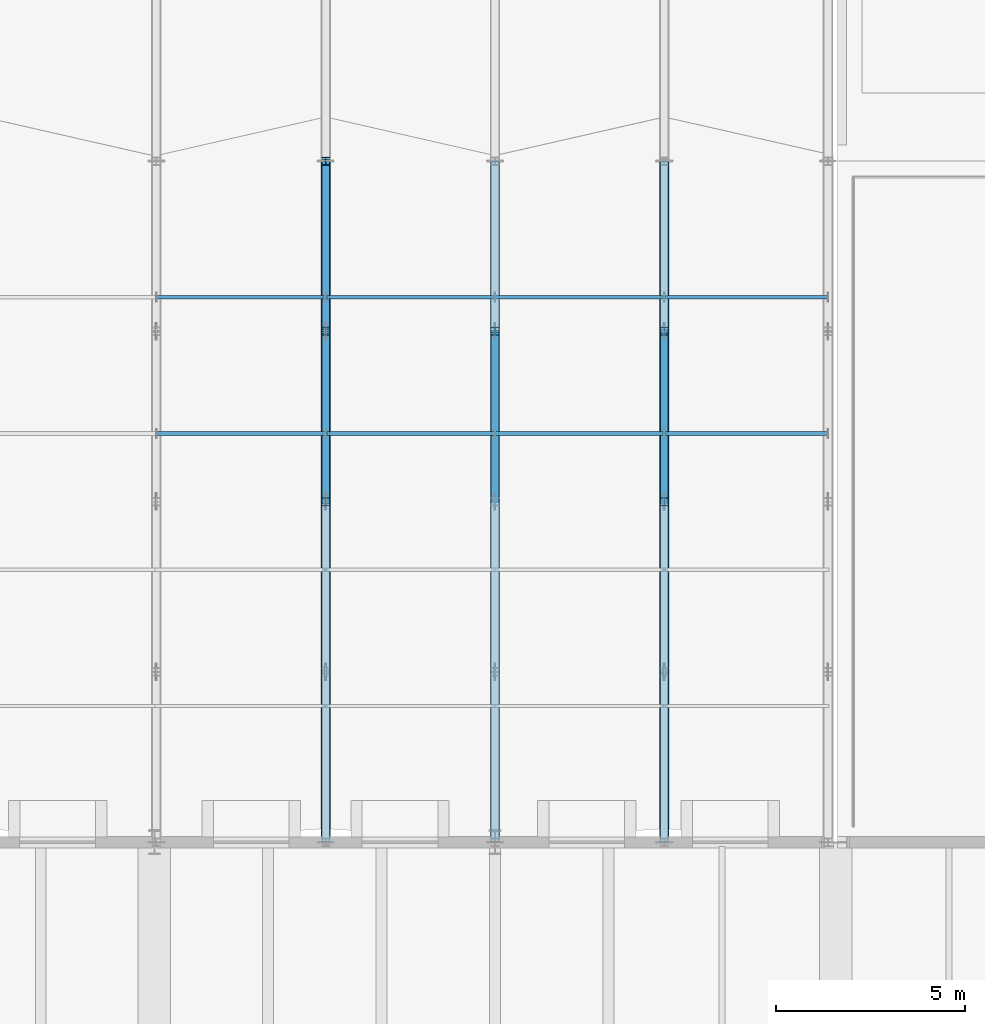
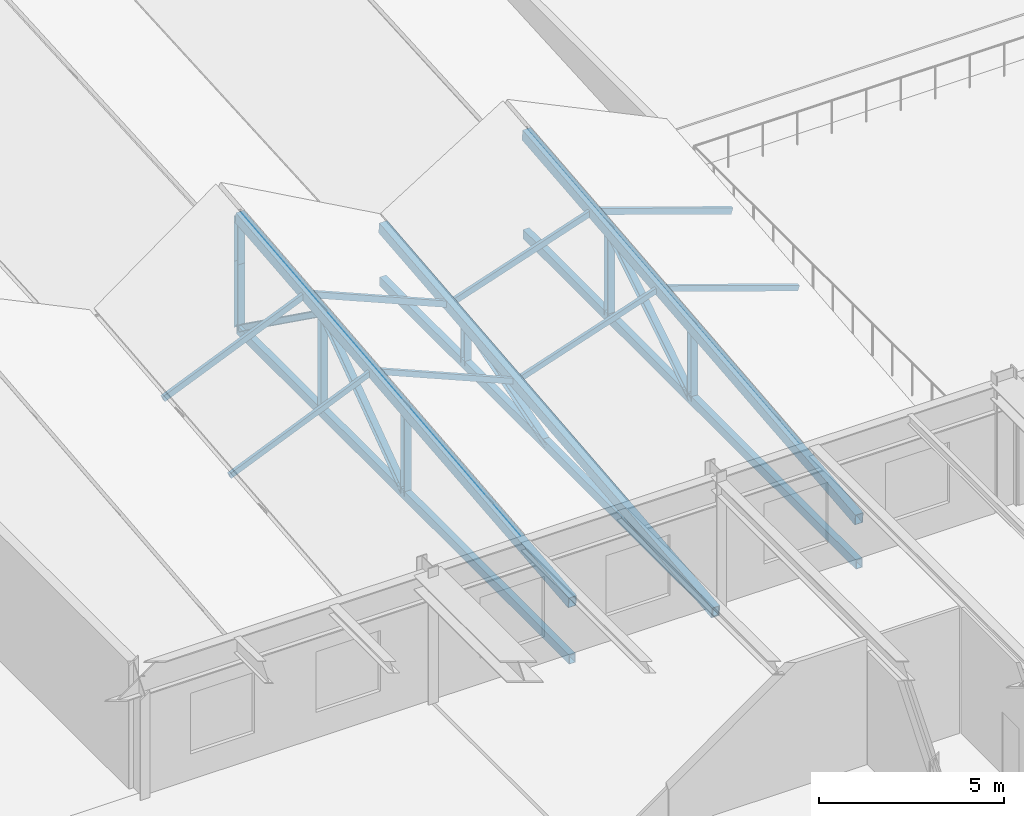
# One storey, part 48 of 142: 25 members.
"""IFC4 building model written with IfcOpenShell, lengths in metres."""

from ifc_helpers import new_model, si_unit, direction, frame, origin, origin_2d, place, context, subcontext, project, spatial, hollow_rectangle, i_section, extrude, material, material_profile, profile_set, type_object, element, save


model = new_model("IFC4")

# Units and contexts
model_context = context("Model", 3, precision=1e-05, world=origin(), true_north=direction((0.0, 1.0)))
body_context = subcontext(model_context, "Body", "Model", "MODEL_VIEW")
ifc_project = project(units=[si_unit("LENGTHUNIT", "METRE"), si_unit("AREAUNIT", "SQUARE_METRE"), si_unit("VOLUMEUNIT", "CUBIC_METRE"), si_unit("PLANEANGLEUNIT", "RADIAN"), si_unit("MASSUNIT", "GRAM", prefix="KILO")], contexts=[model_context])

# Site, building, storey
site_placement = place(None, origin())
site = spatial("IfcSite", under=ifc_project, at=site_placement, CompositionType="ELEMENT")
building_placement = place(site_placement, origin())
building = spatial("IfcBuilding", under=site, at=building_placement, Name="Montelvaro Courts of Justice", CompositionType="ELEMENT")
storey_placement = place(building_placement, frame((0.0, 0.0, 14.39990234375)))
storey = spatial("IfcBuildingStorey", under=building, at=storey_placement, Name="L03", CompositionType="ELEMENT", Elevation=14.39990234375)

# Members
ifc_material = material(Name="Steel S355", Category="steel")
ifc_material_profile_1 = material_profile(ifc_material, i_section(OverallWidth=0.199951171875, OverallDepth=0.18994140625, WebThickness=0.006591796875, FlangeThickness=0.010009765625, at=origin_2d()), Name="HEA 200")
ifc_profile_set_1 = profile_set([ifc_material_profile_1], Name="Steel S355")
member_type_1 = type_object("IfcMemberType", Name="Mem_HEA200_Brace", PredefinedType="BRACE", material=ifc_profile_set_1)
member_1_placement = place(storey_placement, frame((90.0, 33.0, -0.2998046875), z_axis=(0.0, 0.959000997748, 0.283402692857), x_axis=(-1.0, 0.0, 0.0)))
element("IfcMember", 1, at=member_1_placement, inside=storey, type_object=member_type_1, Name="Roof Truss Web MB-02 ROOF-PASSAGE-S-VTR03-W3", PredefinedType="BRACE", context=body_context, shape_type="SweptSolid", body=[
    extrude(i_section(OverallWidth=0.199951171875, OverallDepth=0.18994140625, WebThickness=0.006591796875, FlangeThickness=0.010009765625, at=origin_2d()), origin(), (0.0, 0.0, 1.0), 4.6923828125),
])
for number, where, z_axis, x_axis, name in (
    (2, (85.52490234375, 33.0, -0.2998046875), (0.0, 0.812391188787, 0.58311281617), (-1.0, 0.0, 0.0), "Roof Truss Web MB-02 ROOF-PASSAGE-S-RTR02-W3"),
    (3, (85.52490234375, 37.5, 2.93017578125), (0.0, 0.812391188787, -0.58311281617), (-1.0, 0.0, 0.0), "Roof Truss Web MB-02 ROOF-PASSAGE-S-RTR02-W4"),
):
    element("IfcMember", number, at=place(storey_placement, frame(where, z_axis=z_axis, x_axis=x_axis)), inside=storey, type_object=member_type_1, Name=name, PredefinedType="BRACE", context=body_context, shape_type="SweptSolid", body=[
        extrude(i_section(OverallWidth=0.199951171875, OverallDepth=0.18994140625, WebThickness=0.006591796875, FlangeThickness=0.010009765625, at=origin_2d()), origin(), (0.0, 0.0, 1.0), 5.539306640625),
    ])
member_2_placement = place(storey_placement, frame((94.47509765625, 33.0, -0.2998046875), z_axis=(0.0, 0.846529520992, 0.532341779395), x_axis=(-1.0, 0.0, 0.0)))
element("IfcMember", 4, at=member_2_placement, inside=storey, type_object=member_type_1, Name="Roof Truss Web MB-02 ROOF-PASSAGE-S-RTR03-W3", PredefinedType="BRACE", context=body_context, shape_type="SweptSolid", body=[
    extrude(i_section(OverallWidth=0.199951171875, OverallDepth=0.18994140625, WebThickness=0.006591796875, FlangeThickness=0.010009765625, at=origin_2d()), origin(), (0.0, 0.0, 1.0), 5.31591796875),
])
ifc_material_profile_2 = material_profile(ifc_material, i_section(OverallWidth=0.219970703125, OverallDepth=0.2099609375, WebThickness=0.007080078125, FlangeThickness=0.010986328125, at=origin_2d()), Name="HEA 220")
ifc_profile_set_2 = profile_set([ifc_material_profile_2], Name="Steel S355")
member_type_2 = type_object("IfcMemberType", Name="Mem_HEA220_Post", PredefinedType="POST", material=ifc_profile_set_2)
member_3_placement = place(storey_placement, frame((85.52490234375, 42.0, -0.2998046875), z_axis=(0.0, 0.0, 1.0), x_axis=(1.0, 0.0, 0.0)))
element("IfcMember", 5, at=member_3_placement, inside=storey, type_object=member_type_2, Name="Roof Truss Post MP-03 ROOF-PASSAGE-RTR04-V0", PredefinedType="POST", context=body_context, shape_type="SweptSolid", body=[
    extrude(i_section(OverallWidth=0.219970703125, OverallDepth=0.2099609375, WebThickness=0.007080078125, FlangeThickness=0.010986328125, at=origin_2d()), origin(), (0.0, 0.0, 1.0), 2.179931640625),
])
member_4_placement = place(storey_placement, frame((90.0, 37.5, -0.2998046875), z_axis=(0.0, 0.0, 1.0), x_axis=(1.0, 0.0, 0.0)))
element("IfcMember", 6, at=member_4_placement, inside=storey, type_object=member_type_2, Name="Roof Truss Post MP-03 ROOF-PASSAGE-S-VTR03-V3", PredefinedType="POST", context=body_context, shape_type="SweptSolid", body=[
    extrude(i_section(OverallWidth=0.219970703125, OverallDepth=0.2099609375, WebThickness=0.007080078125, FlangeThickness=0.010986328125, at=origin_2d()), origin(), (0.0, 0.0, 1.0), 1.329833984375),
])
member_5_placement = place(storey_placement, frame((85.52490234375, 33.0, -0.2998046875), z_axis=(0.0, 0.0, 1.0), x_axis=(1.0, 0.0, 0.0)))
element("IfcMember", 7, at=member_5_placement, inside=storey, type_object=member_type_2, Name="Roof Truss Post MP-03 ROOF-PASSAGE-S-RTR02-V2", PredefinedType="POST", context=body_context, shape_type="SweptSolid", body=[
    extrude(i_section(OverallWidth=0.219970703125, OverallDepth=0.2099609375, WebThickness=0.007080078125, FlangeThickness=0.010986328125, at=origin_2d()), origin(), (0.0, 0.0, 1.0), 2.77978515625),
])
member_6_placement = place(storey_placement, frame((85.52490234375, 37.5, -0.2998046875), z_axis=(0.0, 0.0, 1.0), x_axis=(1.0, 0.0, 0.0)))
element("IfcMember", 8, at=member_6_placement, inside=storey, type_object=member_type_2, Name="Roof Truss Post MP-03 ROOF-PASSAGE-S-RTR02-V3", PredefinedType="POST", context=body_context, shape_type="SweptSolid", body=[
    extrude(i_section(OverallWidth=0.219970703125, OverallDepth=0.2099609375, WebThickness=0.007080078125, FlangeThickness=0.010986328125, at=origin_2d()), origin(), (0.0, 0.0, 1.0), 3.22998046875),
])
member_7_placement = place(storey_placement, frame((85.52490234375, 42.0, -0.2998046875), z_axis=(0.0, 0.0, 1.0), x_axis=(1.0, 0.0, 0.0)))
element("IfcMember", 9, at=member_7_placement, inside=storey, type_object=member_type_2, Name="Roof Truss Post MP-03 ROOF-PASSAGE-S-RTR02-V4", PredefinedType="POST", context=body_context, shape_type="SweptSolid", body=[
    extrude(i_section(OverallWidth=0.219970703125, OverallDepth=0.2099609375, WebThickness=0.007080078125, FlangeThickness=0.010986328125, at=origin_2d()), origin(), (0.0, 0.0, 1.0), 3.679931640625),
])
member_8_placement = place(storey_placement, frame((94.47509765625, 33.0, -0.2998046875), z_axis=(0.0, 0.0, 1.0), x_axis=(1.0, 0.0, 0.0)))
element("IfcMember", 10, at=member_8_placement, inside=storey, type_object=member_type_2, Name="Roof Truss Post MP-03 ROOF-PASSAGE-S-RTR03-V2", PredefinedType="POST", context=body_context, shape_type="SweptSolid", body=[
    extrude(i_section(OverallWidth=0.219970703125, OverallDepth=0.2099609375, WebThickness=0.007080078125, FlangeThickness=0.010986328125, at=origin_2d()), origin(), (0.0, 0.0, 1.0), 2.3798828125),
])
member_9_placement = place(storey_placement, frame((94.47509765625, 37.5, -0.2998046875), z_axis=(0.0, 0.0, 1.0), x_axis=(1.0, 0.0, 0.0)))
element("IfcMember", 11, at=member_9_placement, inside=storey, type_object=member_type_2, Name="Roof Truss Post MP-03 ROOF-PASSAGE-S-RTR03-V3", PredefinedType="POST", context=body_context, shape_type="SweptSolid", body=[
    extrude(i_section(OverallWidth=0.219970703125, OverallDepth=0.2099609375, WebThickness=0.007080078125, FlangeThickness=0.010986328125, at=origin_2d()), origin(), (0.0, 0.0, 1.0), 2.829833984375),
])
ifc_material_profile_3 = material_profile(ifc_material, hollow_rectangle(XDim=0.10009765625, YDim=0.179931640625, WallThickness=0.008056640625, at=origin_2d()), Name="RHS 180x100x8")
ifc_profile_set_3 = profile_set([ifc_material_profile_3], Name="Steel S355")
member_type_3 = type_object("IfcMemberType", Name="Mem_RHS180_Purlin", PredefinedType="PURLIN", material=ifc_profile_set_3)
member_10_placement = place(storey_placement, frame((81.050048828125, 34.800048828125, 0.760009765625), z_axis=(0.920454252184, 0.0, 0.390850316152), x_axis=(0.0, 1.0, 0.0)))
element("IfcMember", 12, at=member_10_placement, inside=storey, type_object=member_type_3, Name="Roof Purlin MR-03 ROOF-PASSAGE-S-PRL-02-3L", PredefinedType="PURLIN", context=body_context, shape_type="SweptSolid", body=[
    extrude(hollow_rectangle(XDim=0.10009765625, YDim=0.179931640625, WallThickness=0.008056640625, at=origin_2d()), origin(), (0.0, 0.0, 1.0), 4.861572265625),
])
member_11_placement = place(storey_placement, frame((85.52490234375, 34.800048828125, 2.66015625), z_axis=(0.920461923224, 0.0, -0.390832250325), x_axis=(0.0, 1.0, 0.0)))
element("IfcMember", 13, at=member_11_placement, inside=storey, type_object=member_type_3, Name="Roof Purlin MR-03 ROOF-PASSAGE-S-PRL-02-3R", PredefinedType="PURLIN", context=body_context, shape_type="SweptSolid", body=[
    extrude(hollow_rectangle(XDim=0.10009765625, YDim=0.179931640625, WallThickness=0.008056640625, at=origin_2d()), origin(), (0.0, 0.0, 1.0), 4.86181640625),
])
member_12_placement = place(storey_placement, frame((90.0, 34.800048828125, 0.760009765625), z_axis=(0.948154363052, 0.0, 0.317810169481), x_axis=(0.0, 1.0, 0.0)))
element("IfcMember", 14, at=member_12_placement, inside=storey, type_object=member_type_3, Name="Roof Purlin MR-03 ROOF-PASSAGE-S-PRL-03-3L", PredefinedType="PURLIN", context=body_context, shape_type="SweptSolid", body=[
    extrude(hollow_rectangle(XDim=0.10009765625, YDim=0.179931640625, WallThickness=0.008056640625, at=origin_2d()), origin(), (0.0, 0.0, 1.0), 4.7197265625),
])
member_13_placement = place(storey_placement, frame((94.47509765625, 34.800048828125, 2.260009765625), z_axis=(0.944789974698, 0.0, -0.327676522977), x_axis=(0.0, 1.0, 0.0)))
element("IfcMember", 15, at=member_13_placement, inside=storey, type_object=member_type_3, Name="Roof Purlin MR-03 ROOF-PASSAGE-S-PRL-03-3R", PredefinedType="PURLIN", context=body_context, shape_type="SweptSolid", body=[
    extrude(hollow_rectangle(XDim=0.10009765625, YDim=0.179931640625, WallThickness=0.008056640625, at=origin_2d()), origin(), (0.0, 0.0, 1.0), 4.57763671875),
])
ifc_material_profile_4 = material_profile(ifc_material, hollow_rectangle(XDim=0.10009765625, YDim=0.199951171875, WallThickness=0.008056640625, at=origin_2d()), Name="RHS 200x100x8")
ifc_profile_set_4 = profile_set([ifc_material_profile_4], Name="Steel S355")
member_type_4 = type_object("IfcMemberType", Name="Mem_RHS200_Purlin", PredefinedType="PURLIN", material=ifc_profile_set_4)
member_14_placement = place(storey_placement, frame((81.050048828125, 38.39990234375, 1.1201171875), z_axis=(0.920472318142, 0.0, 0.390807768006), x_axis=(0.0, 1.0, 0.0)))
element("IfcMember", 16, at=member_14_placement, inside=storey, type_object=member_type_4, Name="Roof Purlin MR-04 ROOF-PASSAGE-S-PRL-02-4L", PredefinedType="PURLIN", context=body_context, shape_type="SweptSolid", body=[
    extrude(hollow_rectangle(XDim=0.10009765625, YDim=0.199951171875, WallThickness=0.008056640625, at=origin_2d()), origin(), (0.0, 0.0, 1.0), 4.861572265625),
])
member_15_placement = place(storey_placement, frame((85.52490234375, 38.39990234375, 3.02001953125), z_axis=(0.920479987663, 0.0, -0.390789703437), x_axis=(0.0, 1.0, 0.0)))
element("IfcMember", 17, at=member_15_placement, inside=storey, type_object=member_type_4, Name="Roof Purlin MR-04 ROOF-PASSAGE-S-PRL-02-4R", PredefinedType="PURLIN", context=body_context, shape_type="SweptSolid", body=[
    extrude(hollow_rectangle(XDim=0.10009765625, YDim=0.199951171875, WallThickness=0.008056640625, at=origin_2d()), origin(), (0.0, 0.0, 1.0), 4.86181640625),
])
member_16_placement = place(storey_placement, frame((90.0, 38.39990234375, 1.1201171875), z_axis=(0.948154363052, 0.0, 0.317810169481), x_axis=(0.0, 1.0, 0.0)))
element("IfcMember", 18, at=member_16_placement, inside=storey, type_object=member_type_4, Name="Roof Purlin MR-04 ROOF-PASSAGE-S-PRL-03-4L", PredefinedType="PURLIN", context=body_context, shape_type="SweptSolid", body=[
    extrude(hollow_rectangle(XDim=0.10009765625, YDim=0.199951171875, WallThickness=0.008056640625, at=origin_2d()), origin(), (0.0, 0.0, 1.0), 4.7197265625),
])
member_17_placement = place(storey_placement, frame((94.47509765625, 38.39990234375, 2.6201171875), z_axis=(0.944789974698, 0.0, -0.327676522977), x_axis=(0.0, 1.0, 0.0)))
element("IfcMember", 19, at=member_17_placement, inside=storey, type_object=member_type_4, Name="Roof Purlin MR-04 ROOF-PASSAGE-S-PRL-03-4R", PredefinedType="PURLIN", context=body_context, shape_type="SweptSolid", body=[
    extrude(hollow_rectangle(XDim=0.10009765625, YDim=0.199951171875, WallThickness=0.008056640625, at=origin_2d()), origin(), (0.0, 0.0, 1.0), 4.57763671875),
])
ifc_material_profile_5 = material_profile(ifc_material, hollow_rectangle(XDim=0.199951171875, YDim=0.300048828125, WallThickness=0.012451171875, at=origin_2d()), Name="RHS 300x200x12.5")
ifc_profile_set_5 = profile_set([ifc_material_profile_5], Name="Steel S355")
member_type_5 = type_object("IfcMemberType", Name="Mem_RHS300_Chord", PredefinedType="CHORD", material=ifc_profile_set_5)
for number, where, z_axis, x_axis, name in (
    (20, (90.0, 24.0, -0.2998046875), (0.0, 1.0, 0.0), (-1.0, 0.0, 0.0), "Roof Truss ROOF-PASSAGE-S-VTR03 Bottom Chord"),
    (21, (85.52490234375, 24.0, -0.2998046875), (0.0, 1.0, 0.0), (-1.0, 0.0, 0.0), "Roof Truss ROOF-PASSAGE-S-RTR02 Bottom Chord"),
    (22, (94.47509765625, 24.0, -0.2998046875), (0.0, 1.0, 0.0), (-1.0, 0.0, 0.0), "Roof Truss ROOF-PASSAGE-S-RTR03 Bottom Chord"),
):
    element("IfcMember", number, at=place(storey_placement, frame(where, z_axis=z_axis, x_axis=x_axis)), inside=storey, type_object=member_type_5, Name=name, PredefinedType="CHORD", context=body_context, shape_type="SweptSolid", body=[
        extrude(hollow_rectangle(XDim=0.199951171875, YDim=0.300048828125, WallThickness=0.012451171875, at=origin_2d()), origin(), (0.0, 0.0, 1.0), 18.0),
    ])
ifc_material_profile_6 = material_profile(ifc_material, hollow_rectangle(XDim=0.25, YDim=0.35009765625, WallThickness=0.012451171875, at=origin_2d()), Name="RHS 350x250x12.5")
ifc_profile_set_6 = profile_set([ifc_material_profile_6], Name="Steel S355")
member_type_6 = type_object("IfcMemberType", Name="Mem_RHS350_Chord", PredefinedType="CHORD", material=ifc_profile_set_6)
for number, where, z_axis, x_axis, name in (
    (23, (90.0, 24.0, -0.31982421875), (0.0, 0.995038259148, 0.099493029059), (-1.0, 0.0, 0.0), "Roof Truss ROOF-PASSAGE-S-VTR03 Top Chord"),
    (24, (85.52490234375, 24.0, 1.580078125), (0.0, 0.995036922958, 0.099506391506), (-1.0, 0.0, 0.0), "Roof Truss ROOF-PASSAGE-S-RTR02 Top Chord"),
    (25, (94.47509765625, 24.0, 1.18017578125), (0.0, 0.995038259148, 0.099493029059), (-1.0, 0.0, 0.0), "Roof Truss ROOF-PASSAGE-S-RTR03 Top Chord"),
):
    element("IfcMember", number, at=place(storey_placement, frame(where, z_axis=z_axis, x_axis=x_axis)), inside=storey, type_object=member_type_6, Name=name, PredefinedType="CHORD", context=body_context, shape_type="SweptSolid", body=[
        extrude(hollow_rectangle(XDim=0.25, YDim=0.35009765625, WallThickness=0.012451171875, at=origin_2d()), origin(), (0.0, 0.0, 1.0), 18.08984375),
    ])

save(model, "model.ifc")
